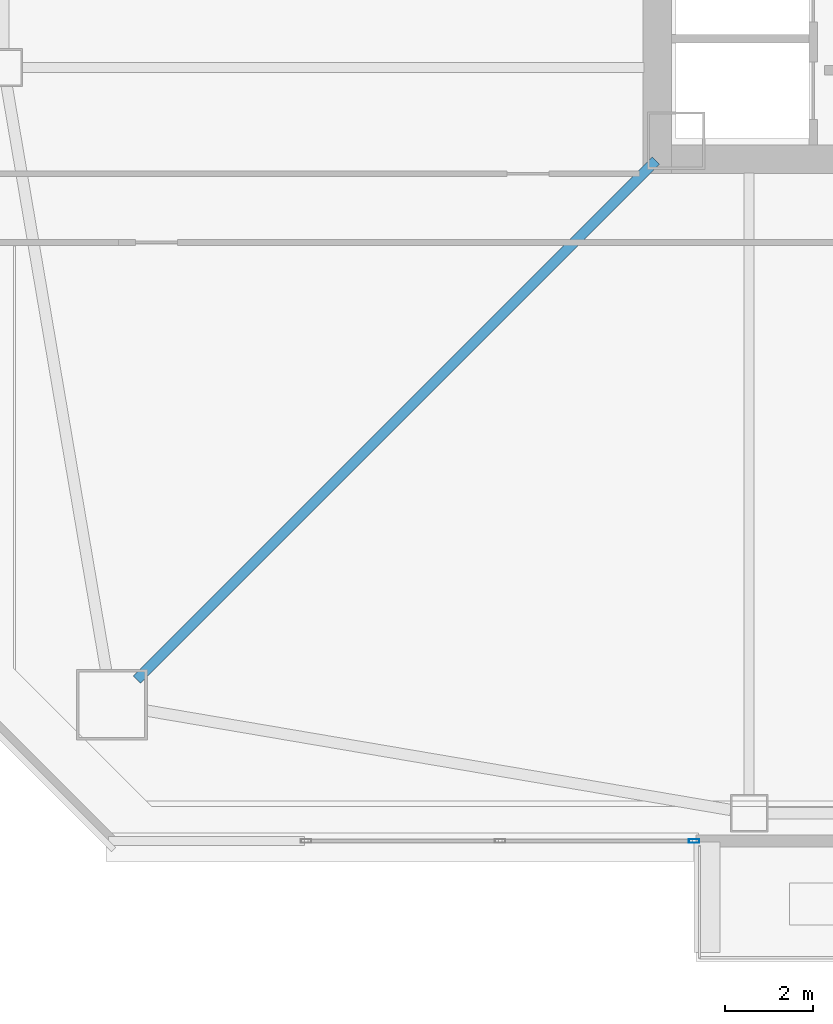
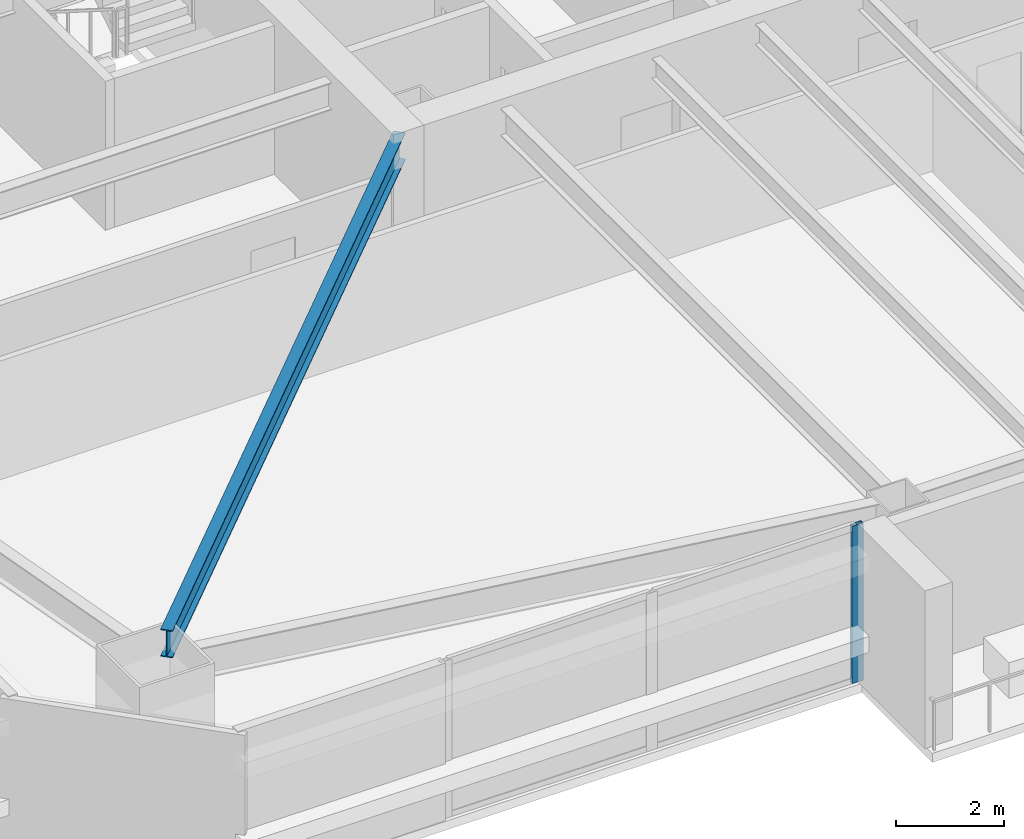
# One storey, part 4 of 46: 1 beam, 1 member, 1 element without a shape of its own.
"""IFC4 building model written with IfcOpenShell, lengths in metres."""

from ifc_helpers import new_model, si_unit, direction, frame, origin, origin_2d, place, context, subcontext, project, spatial, hollow_rectangle, i_section, extrude, material, material_profile, profile_set, type_object, element, aggregate, save


model = new_model("IFC4")

# Units and contexts
model_context = context("Model", 3, precision=1e-05, world=origin(), true_north=direction((0.0, 1.0)))
body_context = subcontext(model_context, "Body", "Model", "MODEL_VIEW")
ifc_project = project(units=[si_unit("LENGTHUNIT", "METRE"), si_unit("AREAUNIT", "SQUARE_METRE"), si_unit("VOLUMEUNIT", "CUBIC_METRE"), si_unit("PLANEANGLEUNIT", "RADIAN"), si_unit("MASSUNIT", "GRAM", prefix="KILO")], contexts=[model_context])

# Site, building, storey
site_placement = place(None, origin())
site = spatial("IfcSite", under=ifc_project, at=site_placement, CompositionType="ELEMENT")
building_placement = place(site_placement, origin())
building = spatial("IfcBuilding", under=site, at=building_placement, Name="Tashvorn Skyway Center", CompositionType="ELEMENT")
storey_placement = place(building_placement, frame((0.0, 0.0, 60.10009765625)))
storey = spatial("IfcBuildingStorey", under=building, at=storey_placement, Name="L15", CompositionType="ELEMENT", Elevation=60.10009765625)

# Beam
ifc_material_1 = material(Name="Steel ASTM A992 Grade 50", Category="steel")
ifc_material_profile_1 = material_profile(ifc_material_1, i_section(OverallWidth=0.22998046875, OverallDepth=0.616943359375, WebThickness=0.01318359375, FlangeThickness=0.022216796875, at=origin_2d()), Name="W24X94")
ifc_profile_set_1 = profile_set([ifc_material_profile_1], Name="Steel ASTM A992 Grade 50")
beam_type = type_object("IfcBeamType", Name="BM-BEAM-W24X94", PredefinedType="BEAM", material=ifc_profile_set_1)
beam_placement = place(storey_placement, frame((22.76220703125, 12.76220703125, 3.04150390625), z_axis=(0.707106781187, 0.707106781187, 0.0), x_axis=(-0.707106781187, 0.707106781187, 0.0)))
element("IfcBeam", 1, at=beam_placement, inside=storey, type_object=beam_type, Name="Tower 1 L15 Primary Floor Girder MC-SW", PredefinedType="BEAM", context=body_context, shape_type="SweptSolid", body=[
    extrude(i_section(OverallWidth=0.22998046875, OverallDepth=0.616943359375, WebThickness=0.01318359375, FlangeThickness=0.022216796875, at=origin_2d()), origin(), (0.0, 0.0, 1.0), 16.591064453125),
])

# Curtain wall, member
ifc_material_2 = material(Name="Thermally broken bronze-anodized aluminium 6063-T6", Category="aluminium")
curtain_wall_type = type_object("IfcCurtainWallType", Name="CW-CW-Z1", PredefinedType="NOTDEFINED", material=ifc_material_2)
curtain_wall_placement = place(storey_placement, origin())
curtain_wall = element("IfcCurtainWall", 2, at=curtain_wall_placement, inside=storey, type_object=curtain_wall_type, Name="Tower 1 L15 South Curtain Wall R Glazing Group 1", PredefinedType="NOTDEFINED")
ifc_material_profile_2 = material_profile(ifc_material_2, hollow_rectangle(XDim=0.0849609375, YDim=0.239990234375, WallThickness=0.0048828125, at=origin_2d()), Name="ALU-MULL-85x240")
ifc_profile_set_2 = profile_set([ifc_material_profile_2], Name="Thermally broken bronze-anodized aluminium 6063-T6")
member_type = type_object("IfcMemberType", Name="CWM-CW-Z1", PredefinedType="MULLION", material=ifc_profile_set_2)
member_placement = place(storey_placement, frame((35.357421875, 9.1201171875, 0.0), z_axis=(0.0, 0.0, 1.0), x_axis=(0.0, -1.0, 0.0)))
member = element("IfcMember", 3, at=member_placement, type_object=member_type, Name="CW-Z1 mullion 1", PredefinedType="MULLION", context=body_context, shape_type="SweptSolid", body=[
    extrude(hollow_rectangle(XDim=0.0849609375, YDim=0.239990234375, WallThickness=0.0048828125, at=origin_2d()), origin(), (0.0, 0.0, 1.0), 3.5498046875),
])
aggregate(curtain_wall, [member])

save(model, "model.ifc")
